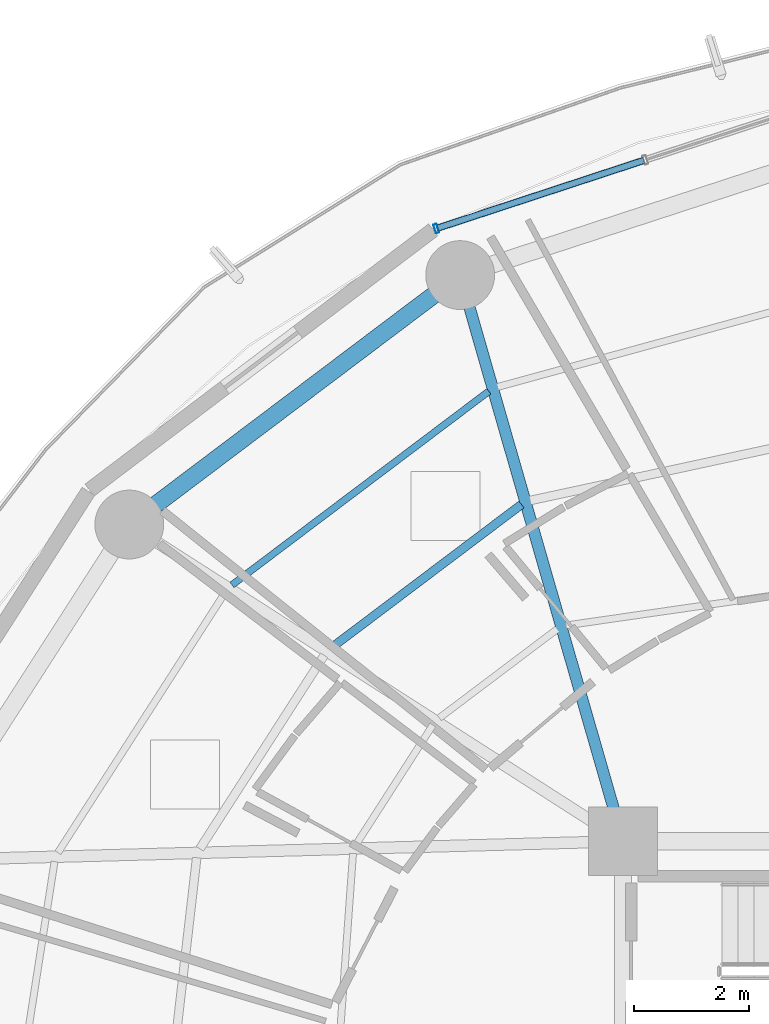
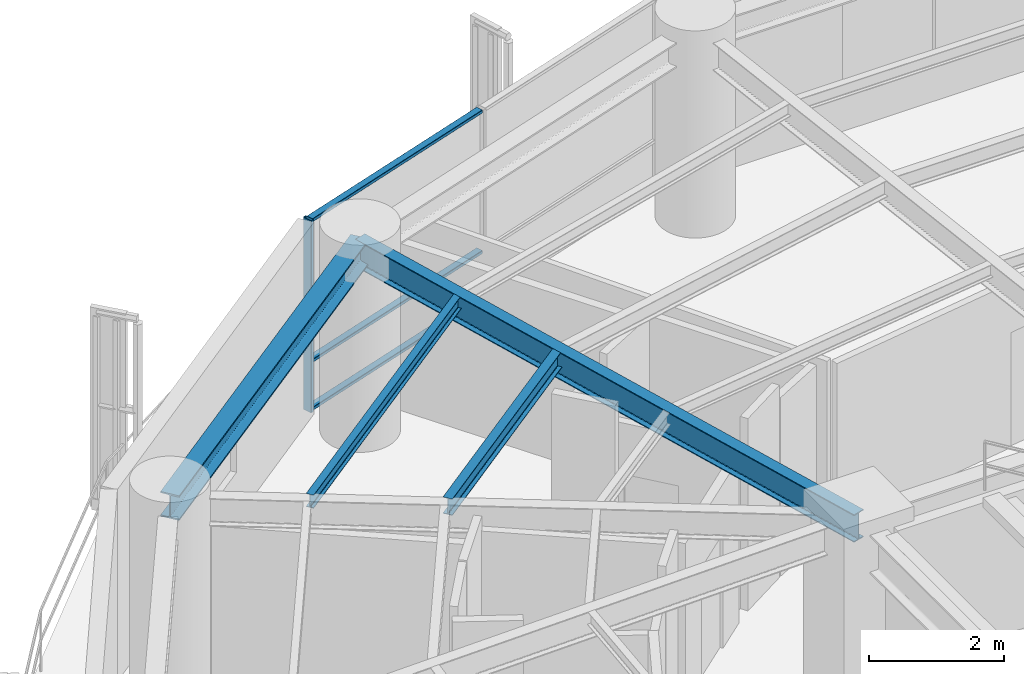
# One storey, part 16 of 27: 4 beams, 4 members, 1 element without a shape of its own.
"""IFC4 building model written with IfcOpenShell, lengths in metres."""

import ifcopenshell
import ifcopenshell.guid

model = None  # the IFC model being written
_history = None  # IfcOwnerHistory: only IFC2X3 demands one
_inside = {}  # id of a spatial element -> (the spatial element, [elements in it])
_under = {}  # id of a project, library or spatial element -> (it, [spatial elements below it])
_declared = {}  # id of a project -> (the project, [libraries it declares])
_typed = {}  # id of a type object -> (the type object, [elements of that type])
_made_of = {}  # id of a material, layer set ... -> (it, [elements and type objects made of it])


def new_model(schema):
    """Start an empty IFC model of exactly this schema.

    Asked for "IFC4X3", IfcOpenShell would pick the latest addendum, in which some entities
    have other attributes; the version numbers below select the first issue.
    IFC2X3 requires an IfcOwnerHistory on every rooted entity: one is made here for all.
    """
    global model, _history
    if schema == "IFC4X3":
        model = ifcopenshell.file(schema_version=(4, 3, 0, 0))
    else:
        model = ifcopenshell.file(schema=schema)
    _inside.clear()
    _under.clear()
    _declared.clear()
    _typed.clear()
    _made_of.clear()
    _history = None
    if model.schema == "IFC2X3":
        org = make("IfcOrganization", Name="unknown")
        user = make(
            "IfcPersonAndOrganization",
            ThePerson=make("IfcPerson", FamilyName="unknown"),
            TheOrganization=org,
        )
        app = make(
            "IfcApplication",
            ApplicationDeveloper=org,
            Version="unknown",
            ApplicationFullName="unknown",
            ApplicationIdentifier="unknown",
        )
        _history = make(
            "IfcOwnerHistory",
            OwningUser=user,
            OwningApplication=app,
            ChangeAction="ADDED",
            CreationDate=0,
        )
    return model


def make(cls, **values):
    """One entity of the class cls with the attributes given. An attribute that is None is left unset."""
    return model.create_entity(
        cls, **{name: value for name, value in values.items() if value is not None}
    )


def rooted(cls, **values):
    """An entity with a GlobalId (a new one), such as an element, a storey or a relation."""
    return make(cls, GlobalId=ifcopenshell.guid.new(), OwnerHistory=_history, **values)


def si_unit(unit_type, name, prefix=None):
    """IfcSIUnit, for example si_unit("LENGTHUNIT", "METRE", prefix="MILLI")."""
    return make("IfcSIUnit", UnitType=unit_type, Prefix=prefix, Name=name)


def assignment(units):
    """IfcUnitAssignment: the units of a project."""
    return None if units is None else make("IfcUnitAssignment", Units=units)


def point(xyz):
    """IfcCartesianPoint."""
    return None if xyz is None else make("IfcCartesianPoint", Coordinates=xyz)


def direction(xyz):
    """IfcDirection."""
    return None if xyz is None else make("IfcDirection", DirectionRatios=xyz)


def frame(location, z_axis=None, x_axis=None):
    """IfcAxis2Placement3D, a coordinate frame: its origin and axes. An axis left out is left unset."""
    return make(
        "IfcAxis2Placement3D",
        Location=point(location),
        Axis=direction(z_axis),
        RefDirection=direction(x_axis),
    )


def frame_2d(location, x_axis=None):
    """IfcAxis2Placement2D, a coordinate frame in the plane: its origin and x axis."""
    return make(
        "IfcAxis2Placement2D", Location=point(location), RefDirection=direction(x_axis)
    )


def origin():
    """The frame at (0, 0, 0) with its axes left unset."""
    return frame((0.0, 0.0, 0.0))


def origin_2d():
    """The frame at (0, 0) in the plane with its x axis left unset."""
    return frame_2d((0.0, 0.0))


def place(relative_to, where):
    """IfcLocalPlacement: puts the frame where relative to a parent placement (None: the world)."""
    return make(
        "IfcLocalPlacement", PlacementRelTo=relative_to, RelativePlacement=where
    )


def context(
    kind, dimensions, precision=None, world=None, true_north=None, identifier=None
):
    """IfcGeometricRepresentationContext, for example the 3D "Model" context."""
    return make(
        "IfcGeometricRepresentationContext",
        ContextIdentifier=identifier,
        ContextType=kind,
        CoordinateSpaceDimension=dimensions,
        Precision=precision,
        WorldCoordinateSystem=world,
        TrueNorth=true_north,
    )


def subcontext(parent, identifier, kind, view, scale=None):
    """IfcGeometricRepresentationSubContext, for example "Body" below "Model"."""
    return make(
        "IfcGeometricRepresentationSubContext",
        ContextIdentifier=identifier,
        ContextType=kind,
        ParentContext=parent,
        TargetScale=scale,
        TargetView=view,
    )


def project(units=None, contexts=None):
    """IfcProject with its units and contexts."""
    return rooted(
        "IfcProject",
        Name="project",
        RepresentationContexts=contexts,
        UnitsInContext=assignment(units),
    )


def spatial(cls, under=None, at=None, **own):
    """A site, building, storey or space (cls), placed at a placement, below another one or the project."""
    s = rooted(cls, ObjectPlacement=at, **own)
    if under is not None:
        _under.setdefault(under.id(), (under, []))[1].append(s)
    return s


def profile(cls, at=None, kind="AREA", **sizes):
    """A parametric profile (cls). Its sizes go by their IFC names, for example OverallWidth=200.0."""
    return make(cls, ProfileType=kind, Position=at, **sizes)


def hollow_rectangle(**sizes):
    """IfcRectangleHollowProfileDef."""
    return profile("IfcRectangleHollowProfileDef", **sizes)


def i_section(**sizes):
    """IfcIShapeProfileDef."""
    return profile("IfcIShapeProfileDef", **sizes)


def extrude(swept, where, along, depth):
    """IfcExtrudedAreaSolid: the profile swept, set in the frame where, extruded along a direction by depth."""
    return make(
        "IfcExtrudedAreaSolid",
        SweptArea=swept,
        Position=where,
        ExtrudedDirection=direction(along),
        Depth=depth,
    )


def shape(context_of_items, identifier, shape_type, items):
    """IfcShapeRepresentation: the items that make up one representation, for example the "Body"."""
    return make(
        "IfcShapeRepresentation",
        ContextOfItems=context_of_items,
        RepresentationIdentifier=identifier,
        RepresentationType=shape_type,
        Items=items,
    )


def material(Name=None, Category=None):
    """IfcMaterial."""
    return make("IfcMaterial", Name=Name, Category=Category)


def layer(
    of_material, thickness, ventilated=None, Name=None, Category=None, Priority=None
):
    """IfcMaterialLayer: one layer of a wall or slab, of a material (None: an air gap)."""
    return make(
        "IfcMaterialLayer",
        Material=of_material,
        LayerThickness=thickness,
        IsVentilated=ventilated,
        Name=Name,
        Category=Category,
        Priority=Priority,
    )


def layer_set(layers, Name=None):
    """IfcMaterialLayerSet."""
    return make("IfcMaterialLayerSet", MaterialLayers=layers, LayerSetName=Name)


def material_profile(
    of_material, cross_section, Name=None, Category=None, Priority=None
):
    """IfcMaterialProfile: a cross section and its material."""
    return make(
        "IfcMaterialProfile",
        Name=Name,
        Material=of_material,
        Profile=cross_section,
        Priority=Priority,
        Category=Category,
    )


def profile_set(profiles, Name=None, composite=None):
    """IfcMaterialProfileSet."""
    return make(
        "IfcMaterialProfileSet",
        Name=Name,
        MaterialProfiles=profiles,
        CompositeProfile=composite,
    )


def made_of(thing, what):
    """Note that an element or type object is made of a material, layer set ...; save() writes the relation."""
    if what is not None:
        _made_of.setdefault(what.id(), (what, []))[1].append(thing)
    return thing


def type_object(cls, material=None, **own):
    """A type object (cls), such as IfcWallType, which elements share."""
    return made_of(rooted(cls, **own), material)


def element(
    cls,
    number,
    at=None,
    inside=None,
    cuts=None,
    type_object=None,
    material=None,
    context=None,
    identifier="Body",
    shape_type=None,
    held_by="IfcProductDefinitionShape",
    body=None,
    shapes=None,
    **own,
):
    """One element of the class cls, such as IfcWall. Its Tag is "e" and its number.

    at: its placement. inside: the storey or other place that contains it. cuts: it is an
    opening in that element (IfcRelVoidsElement). A single representation is given by context,
    identifier, shape_type and body (its items); several are given by shapes. held_by: the class
    of the entity that holds the representations. save() writes the other relations.
    """
    e = rooted(cls, Tag="e%d" % number, ObjectPlacement=at, **own)
    if body is not None:
        shapes = [shape(context, identifier, shape_type, body)]
    if shapes is not None:
        e.Representation = make(held_by, Representations=shapes)
    if inside is not None:
        _inside.setdefault(inside.id(), (inside, []))[1].append(e)
    if cuts is not None:
        rooted(
            "IfcRelVoidsElement", RelatingBuildingElement=cuts, RelatedOpeningElement=e
        )
    if type_object is not None:
        _typed.setdefault(type_object.id(), (type_object, []))[1].append(e)
    return made_of(e, material)


def aggregate(whole, parts):
    """IfcRelAggregates: a whole, such as a stair, and the parts it consists of."""
    return rooted("IfcRelAggregates", RelatingObject=whole, RelatedObjects=parts)


def save(model, path):
    """Write the relations noted so far, then the file.

    IfcRelAggregates (storeys below a building ...), IfcRelContainedInSpatialStructure (elements
    in a storey), IfcRelDefinesByType, IfcRelAssociatesMaterial and IfcRelDeclares: one each for
    every whole, place, type object, material and project.
    """
    for whole, parts in _under.values():
        aggregate(whole, parts)
    for where, things in _inside.values():
        rooted(
            "IfcRelContainedInSpatialStructure",
            RelatedElements=things,
            RelatingStructure=where,
        )
    for kind, things in _typed.values():
        rooted("IfcRelDefinesByType", RelatedObjects=things, RelatingType=kind)
    for what, things in _made_of.values():
        rooted("IfcRelAssociatesMaterial", RelatedObjects=things, RelatingMaterial=what)
    for by, libraries in _declared.values():
        rooted("IfcRelDeclares", RelatingContext=by, RelatedDefinitions=libraries)
    model.write(path)


model = new_model("IFC4")

# Units and contexts
model_context = context("Model", 3, precision=1e-05, world=origin(), true_north=direction((0.0, 1.0)))
body_context = subcontext(model_context, "Body", "Model", "MODEL_VIEW")
ifc_project = project(units=[si_unit("LENGTHUNIT", "METRE"), si_unit("AREAUNIT", "SQUARE_METRE"), si_unit("VOLUMEUNIT", "CUBIC_METRE"), si_unit("PLANEANGLEUNIT", "RADIAN"), si_unit("MASSUNIT", "GRAM", prefix="KILO")], contexts=[model_context])

# Site, building, storey
site_placement = place(None, origin())
site = spatial("IfcSite", under=ifc_project, at=site_placement, CompositionType="ELEMENT")
building_placement = place(site_placement, origin())
building = spatial("IfcBuilding", under=site, at=building_placement, Name="Kelanora Arch Commons", CompositionType="ELEMENT")
storey_placement = place(building_placement, frame((0.0, 0.0, 146.85009765625)))
storey = spatial("IfcBuildingStorey", under=building, at=storey_placement, Name="L37", CompositionType="ELEMENT", Elevation=146.85009765625)

# Beams
ifc_material_1 = material(Name="Steel S355", Category="steel")
ifc_material_profile_1 = material_profile(ifc_material_1, i_section(OverallWidth=0.14990234375, OverallDepth=0.300048828125, WebThickness=0.007080078125, FlangeThickness=0.0107421875, FilletRadius=0.014892578125, at=origin_2d()), Name="IPE300")
ifc_profile_set_1 = profile_set([ifc_material_profile_1], Name="Steel S355")
beam_type_1 = type_object("IfcBeamType", Name="BM-JST-01", PredefinedType="JOIST", material=ifc_profile_set_1)
beam_1_placement = place(storey_placement, frame((64.22802734375, 70.870849609375, 3.33984375), z_axis=(-0.798463547891, -0.602043156833, 0.0), x_axis=(0.602043156833, -0.798463547891, 0.0)))
element("IfcBeam", 1, at=beam_1_placement, inside=storey, type_object=beam_type_1, Name="Secondary Chord Joist BJB-12 L37", PredefinedType="JOIST", context=body_context, shape_type="SweptSolid", body=[
    extrude(i_section(OverallWidth=0.14990234375, OverallDepth=0.300048828125, WebThickness=0.007080078125, FlangeThickness=0.0107421875, FilletRadius=0.014892578125, at=origin_2d()), origin(), (0.0, 0.0, 1.0), 4.163818359375),
])
ifc_material_profile_2 = material_profile(ifc_material_1, i_section(OverallWidth=0.1201171875, OverallDepth=0.239990234375, WebThickness=0.006103515625, FlangeThickness=0.009765625, FilletRadius=0.014892578125, at=origin_2d()), Name="IPE240")
ifc_profile_set_2 = profile_set([ifc_material_profile_2], Name="Steel S355")
beam_type_2 = type_object("IfcBeamType", Name="BM-JST-02", PredefinedType="JOIST", material=ifc_profile_set_2)
beam_2_placement = place(storey_placement, frame((63.66015625, 72.844970703125, 3.369873046875), z_axis=(-0.798493128577, -0.602003923256, 0.0), x_axis=(0.602003923256, -0.798493128577, 0.0)))
element("IfcBeam", 2, at=beam_2_placement, inside=storey, type_object=beam_type_2, Name="Secondary Chord Joist BJC-12 L37", PredefinedType="JOIST", context=body_context, shape_type="SweptSolid", body=[
    extrude(i_section(OverallWidth=0.1201171875, OverallDepth=0.239990234375, WebThickness=0.006103515625, FlangeThickness=0.009765625, FilletRadius=0.014892578125, at=origin_2d()), origin(), (0.0, 0.0, 1.0), 5.608642578125),
])
ifc_material_profile_3 = material_profile(ifc_material_1, i_section(OverallWidth=0.199951171875, OverallDepth=0.5, WebThickness=0.01025390625, FlangeThickness=0.01611328125, FilletRadius=0.02099609375, at=origin_2d()), Name="IPE500")
ifc_profile_set_3 = profile_set([ifc_material_profile_3], Name="Steel S355")
beam_type_3 = type_object("IfcBeamType", Name="BM-RAD-Z3", PredefinedType="BEAM", material=ifc_profile_set_3)
beam_3_placement = place(storey_placement, frame((66.0, 65.0, 3.239990234375), z_axis=(-0.276525880065, 0.961006471182, 0.0), x_axis=(-0.961006471182, -0.276525880065, 0.0)))
element("IfcBeam", 3, at=beam_3_placement, inside=storey, type_object=beam_type_3, Name="Radial Floor Girder BR-12 L37", PredefinedType="BEAM", context=body_context, shape_type="SweptSolid", body=[
    extrude(i_section(OverallWidth=0.199951171875, OverallDepth=0.5, WebThickness=0.01025390625, FlangeThickness=0.01611328125, FilletRadius=0.02099609375, at=origin_2d()), origin(), (0.0, 0.0, 1.0), 10.2705078125),
])
ifc_material_profile_4 = material_profile(ifc_material_1, i_section(OverallWidth=0.300048828125, OverallDepth=0.449951171875, WebThickness=0.013916015625, FlangeThickness=0.02587890625, FilletRadius=0.027099609375, at=origin_2d()), Name="HEB450")
ifc_profile_set_4 = profile_set([ifc_material_profile_4], Name="Steel S355")
beam_type_4 = type_object("IfcBeamType", Name="BM-SPN-Z3", PredefinedType="SPANDREL", material=ifc_profile_set_4)
beam_4_placement = place(storey_placement, frame((63.159912109375, 74.8701171875, 3.264892578125), z_axis=(-0.798484645564, -0.60201517489, 0.0), x_axis=(0.60201517489, -0.798484645564, 0.0)))
element("IfcBeam", 4, at=beam_4_placement, inside=storey, type_object=beam_type_4, Name="Perimeter Spandrel Beam BS-12 L37", PredefinedType="SPANDREL", context=body_context, shape_type="SweptSolid", body=[
    extrude(i_section(OverallWidth=0.300048828125, OverallDepth=0.449951171875, WebThickness=0.013916015625, FlangeThickness=0.02587890625, FilletRadius=0.027099609375, at=origin_2d()), origin(), (0.0, 0.0, 1.0), 7.223388671875),
])

# Curtain wall, members
ifc_material_2 = material(Name="Terracotta ceramic-fritted low-E glass and aluminium", Category="masonry")
ifc_layer = layer(ifc_material_2, 0.175048828125)
ifc_layer_set = layer_set([ifc_layer], Name="Terracotta ceramic-fritted low-E glass and aluminium")
curtain_wall_type = type_object("IfcCurtainWallType", Name="CW-SYS-02", PredefinedType="NOTDEFINED", material=ifc_layer_set)
curtain_wall_placement = place(storey_placement, origin())
curtain_wall = element("IfcCurtainWall", 5, at=curtain_wall_placement, inside=storey, type_object=curtain_wall_type, Name="Unitised Curtain Wall L37-B05", PredefinedType="NOTDEFINED")
ifc_material_3 = material(Name="Powder-coated aluminium terracotta", Category="masonry")
ifc_material_profile_5 = material_profile(ifc_material_3, hollow_rectangle(XDim=0.159912109375, YDim=0.06005859375, WallThickness=0.0048828125, InnerFilletRadius=0.0048828125, OuterFilletRadius=0.010009765625, at=origin_2d()), Name="CWM160x60")
ifc_profile_set_5 = profile_set([ifc_material_profile_5], Name="Powder-coated aluminium terracotta")
member_type_1 = type_object("IfcMemberType", Name="CWM-STD", PredefinedType="MULLION", material=ifc_profile_set_5)
member_1_placement = place(storey_placement, frame((62.742919921875, 75.680908203125, 0.0), z_axis=(0.0, 0.0, 1.0), x_axis=(0.312128279571, -0.95003996605, 0.0)))
member_1 = element("IfcMember", 6, at=member_1_placement, type_object=member_type_1, Name="CW-02 mullion 3", PredefinedType="MULLION", context=body_context, shape_type="SweptSolid", body=[
    extrude(hollow_rectangle(XDim=0.159912109375, YDim=0.06005859375, WallThickness=0.0048828125, InnerFilletRadius=0.0048828125, OuterFilletRadius=0.010009765625, at=origin_2d()), origin(), (0.0, 0.0, 1.0), 3.474853515625),
])
ifc_material_profile_6 = material_profile(ifc_material_3, hollow_rectangle(XDim=0.1201171875, YDim=0.06005859375, WallThickness=0.0048828125, InnerFilletRadius=0.0048828125, OuterFilletRadius=0.010009765625, at=origin_2d()), Name="CWT120x60")
ifc_profile_set_6 = profile_set([ifc_material_profile_6], Name="Powder-coated aluminium terracotta")
member_type_2 = type_object("IfcMemberType", Name="CWT-STD", PredefinedType="USERDEFINED", material=ifc_profile_set_6)
member_2_placement = place(storey_placement, frame((66.359375, 76.869140625, 0.02978515625), z_axis=(-0.950051191155, -0.312094111104, 0.0), x_axis=(0.312094111104, -0.950051191155, 0.0)))
member_2 = element("IfcMember", 7, at=member_2_placement, type_object=member_type_2, Name="CW-02 transom 2.1", ObjectType="TRANSOM", PredefinedType="USERDEFINED", context=body_context, shape_type="SweptSolid", body=[
    extrude(hollow_rectangle(XDim=0.1201171875, YDim=0.06005859375, WallThickness=0.0048828125, InnerFilletRadius=0.0048828125, OuterFilletRadius=0.010009765625, at=origin_2d()), origin(), (0.0, 0.0, 1.0), 3.77685546875),
])
member_3_placement = place(storey_placement, frame((66.359375, 76.869140625, 0.89990234375), z_axis=(-0.950051191155, -0.312094111104, 0.0), x_axis=(0.312094111104, -0.950051191155, 0.0)))
member_3 = element("IfcMember", 8, at=member_3_placement, type_object=member_type_2, Name="CW-02 transom 2.2", ObjectType="TRANSOM", PredefinedType="USERDEFINED", context=body_context, shape_type="SweptSolid", body=[
    extrude(hollow_rectangle(XDim=0.1201171875, YDim=0.06005859375, WallThickness=0.0048828125, InnerFilletRadius=0.0048828125, OuterFilletRadius=0.010009765625, at=origin_2d()), origin(), (0.0, 0.0, 1.0), 3.77685546875),
])
member_4_placement = place(storey_placement, frame((66.359375, 76.869140625, 3.44482421875), z_axis=(-0.950051191155, -0.312094111104, 0.0), x_axis=(0.312094111104, -0.950051191155, 0.0)))
member_4 = element("IfcMember", 9, at=member_4_placement, type_object=member_type_2, Name="CW-02 transom 2.3", ObjectType="TRANSOM", PredefinedType="USERDEFINED", context=body_context, shape_type="SweptSolid", body=[
    extrude(hollow_rectangle(XDim=0.1201171875, YDim=0.06005859375, WallThickness=0.0048828125, InnerFilletRadius=0.0048828125, OuterFilletRadius=0.010009765625, at=origin_2d()), origin(), (0.0, 0.0, 1.0), 3.77685546875),
])
aggregate(curtain_wall, [member_1, member_2, member_3, member_4])

save(model, "model.ifc")
